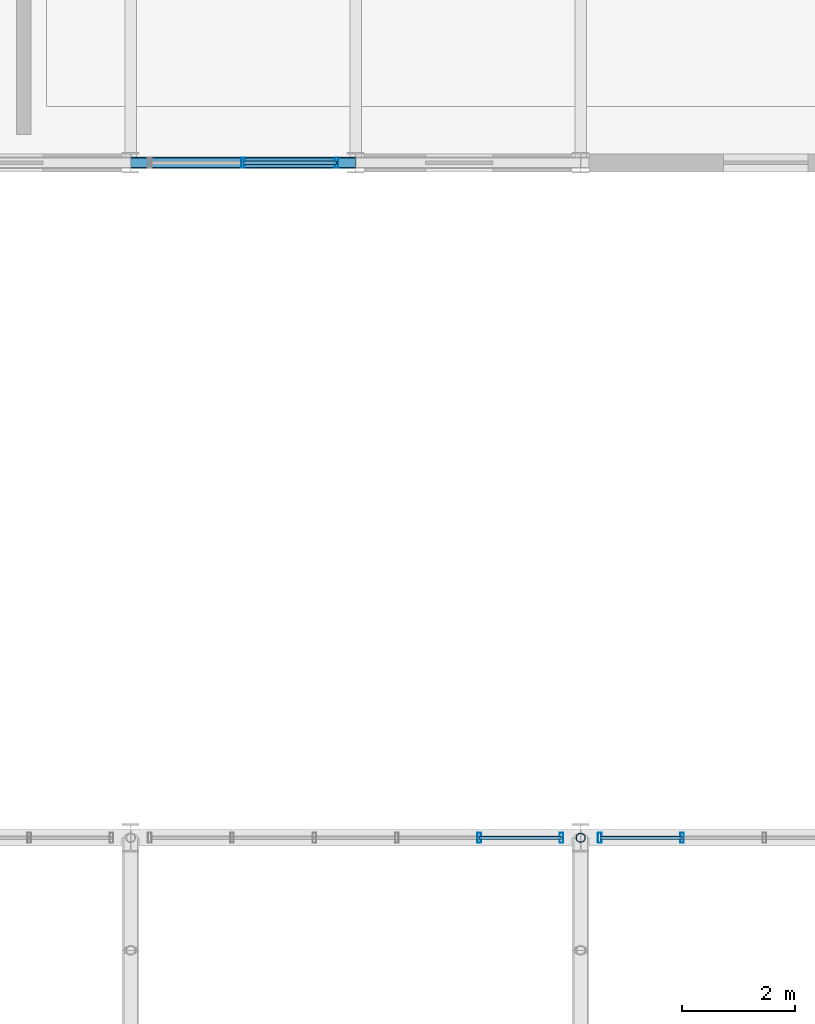
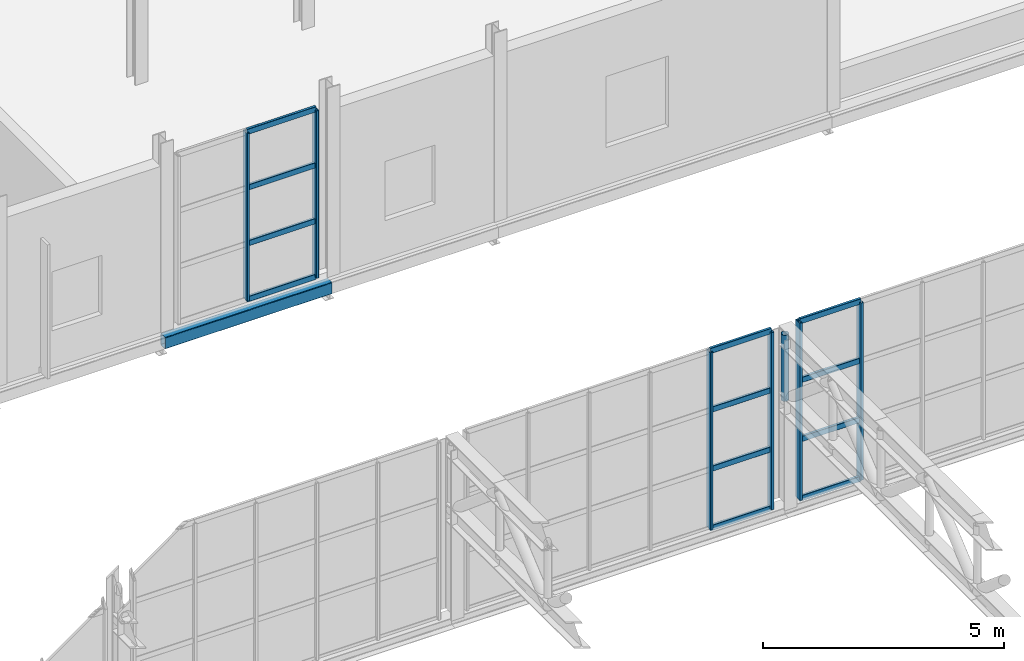
# One storey, part 93 of 143: 19 members, 1 beam, 3 elements without a shape of their own.
"""IFC4 building model written with IfcOpenShell, lengths in metres."""

from ifc_helpers import new_model, si_unit, derived_unit, direction, frame, origin, origin_2d, place, context, subcontext, project, spatial, hollow_rectangle, hollow_circle, extrude, material, material_profile, profile_set, type_object, element, aggregate, save


model = new_model("IFC4")

# Units and contexts
model_context = context("Model", 3, precision=1e-05, world=origin(), true_north=direction((0.0, 1.0)))
body_context = subcontext(model_context, "Body", "Model", "MODEL_VIEW")
ifc_project = project(units=[si_unit("LENGTHUNIT", "METRE"), si_unit("AREAUNIT", "SQUARE_METRE"), si_unit("VOLUMEUNIT", "CUBIC_METRE"), si_unit("PLANEANGLEUNIT", "RADIAN"), si_unit("MASSUNIT", "GRAM", prefix="KILO"), derived_unit("THERMALTRANSMITTANCEUNIT", [(si_unit("POWERUNIT", "WATT"), 1), (si_unit("LENGTHUNIT", "METRE"), -2), (si_unit("THERMODYNAMICTEMPERATUREUNIT", "KELVIN"), -1)])], contexts=[model_context])

# Site, building, storey
site_placement = place(None, origin())
site = spatial("IfcSite", under=ifc_project, at=site_placement, CompositionType="ELEMENT")
building_placement = place(site_placement, origin())
building = spatial("IfcBuilding", under=site, at=building_placement, Name="Keldorne Ridge Multi-Sports Centre", CompositionType="ELEMENT")
storey_placement = place(building_placement, frame((0.0, 0.0, 4.800048828125)))
storey = spatial("IfcBuildingStorey", under=building, at=storey_placement, Name="L01", CompositionType="ELEMENT", Elevation=4.800048828125)

# Beam
ifc_material_1 = material(Name="Steel S355", Category="steel")
ifc_material_profile_1 = material_profile(ifc_material_1, hollow_rectangle(XDim=0.199951171875, YDim=0.300048828125, WallThickness=0.012451171875, InnerFilletRadius=0.012451171875, OuterFilletRadius=0.02490234375, at=origin_2d()), Name="RHS 300x200x12.5")
ifc_profile_set_1 = profile_set([ifc_material_profile_1], Name="Steel S355")
beam_type = type_object("IfcBeamType", Name="BM-SP-01", PredefinedType="SPANDREL", material=ifc_profile_set_1)
beam_placement = place(storey_placement, frame((144.0, 66.0, -0.3701171875), z_axis=(1.0, 0.0, 0.0), x_axis=(0.0, 1.0, 0.0)))
element("IfcBeam", 1, at=beam_placement, inside=storey, type_object=beam_type, Name="L01 primary beam 9.66", PredefinedType="SPANDREL", context=body_context, shape_type="SweptSolid", body=[
    extrude(hollow_rectangle(XDim=0.199951171875, YDim=0.300048828125, WallThickness=0.012451171875, InnerFilletRadius=0.012451171875, OuterFilletRadius=0.02490234375, at=origin_2d()), origin(), (0.0, 0.0, 1.0), 4.0),
])

# Curtain wall, members
ifc_material_2 = material(Name="Anodized aluminium", Category="aluminium")
curtain_wall_type_1 = type_object("IfcCurtainWallType", Name="CW-CW-02", PredefinedType="NOTDEFINED", material=ifc_material_2)
curtain_wall_1_placement = place(storey_placement, origin())
curtain_wall_1 = element("IfcCurtainWall", 2, at=curtain_wall_1_placement, inside=storey, type_object=curtain_wall_type_1, Name="Lower Courts north clerestory 122", PredefinedType="NOTDEFINED")
ifc_material_profile_2 = material_profile(ifc_material_2, hollow_rectangle(XDim=0.06494140625, YDim=0.179931640625, WallThickness=0.00439453125, InnerFilletRadius=0.00439453125, OuterFilletRadius=0.009033203125, at=origin_2d()), Name="ALU MULLION 180x65x4.5")
ifc_profile_set_2 = profile_set([ifc_material_profile_2], Name="Anodized aluminium")
member_type_1 = type_object("IfcMemberType", Name="MEM-ML-01", PredefinedType="MULLION", material=ifc_profile_set_2)
member_1_placement = place(storey_placement, frame((151.659912109375, 54.0, 0.0), z_axis=(0.0, 0.0, 1.0), x_axis=(1.0, 0.0, 0.0)))
member_1 = element("IfcMember", 3, at=member_1_placement, type_object=member_type_1, Name="CW-122 vertical mullion 1", PredefinedType="MULLION", context=body_context, shape_type="SweptSolid", body=[
    extrude(hollow_rectangle(XDim=0.06494140625, YDim=0.179931640625, WallThickness=0.00439453125, InnerFilletRadius=0.00439453125, OuterFilletRadius=0.009033203125, at=origin_2d()), origin(), (0.0, 0.0, 1.0), 4.5),
])
member_2_placement = place(storey_placement, frame((150.196044921875, 54.0, 0.0), z_axis=(0.0, 0.0, 1.0), x_axis=(1.0, 0.0, 0.0)))
member_2 = element("IfcMember", 4, at=member_2_placement, type_object=member_type_1, Name="CW-122 vertical mullion 2", PredefinedType="MULLION", context=body_context, shape_type="SweptSolid", body=[
    extrude(hollow_rectangle(XDim=0.06494140625, YDim=0.179931640625, WallThickness=0.00439453125, InnerFilletRadius=0.00439453125, OuterFilletRadius=0.009033203125, at=origin_2d()), origin(), (0.0, 0.0, 1.0), 4.5),
])

curtain_wall_type_2 = type_object("IfcCurtainWallType", Name="CW-CW-01", PredefinedType="NOTDEFINED", material=ifc_material_2)
curtain_wall_2_placement = place(storey_placement, origin())
curtain_wall_2 = element("IfcCurtainWall", 5, at=curtain_wall_2_placement, inside=storey, type_object=curtain_wall_type_2, Name="Lower Courts north clerestory 129", PredefinedType="NOTDEFINED")
member_3_placement = place(storey_placement, frame((153.803955078125, 54.0, 0.0), z_axis=(0.0, 0.0, 1.0), x_axis=(1.0, 0.0, 0.0)))
member_3 = element("IfcMember", 6, at=member_3_placement, type_object=member_type_1, Name="CW-129 vertical mullion 5", PredefinedType="MULLION", context=body_context, shape_type="SweptSolid", body=[
    extrude(hollow_rectangle(XDim=0.06494140625, YDim=0.179931640625, WallThickness=0.00439453125, InnerFilletRadius=0.00439453125, OuterFilletRadius=0.009033203125, at=origin_2d()), origin(), (0.0, 0.0, 1.0), 4.5),
])
member_4_placement = place(storey_placement, frame((152.340087890625, 54.0, 0.0), z_axis=(0.0, 0.0, 1.0), x_axis=(1.0, 0.0, 0.0)))
member_4 = element("IfcMember", 7, at=member_4_placement, type_object=member_type_1, Name="CW-129 vertical mullion 6", PredefinedType="MULLION", context=body_context, shape_type="SweptSolid", body=[
    extrude(hollow_rectangle(XDim=0.06494140625, YDim=0.179931640625, WallThickness=0.00439453125, InnerFilletRadius=0.00439453125, OuterFilletRadius=0.009033203125, at=origin_2d()), origin(), (0.0, 0.0, 1.0), 4.5),
])

curtain_wall_type_3 = type_object("IfcCurtainWallType", Name="CW-CW-06", PredefinedType="NOTDEFINED", material=ifc_material_2)
curtain_wall_3_placement = place(storey_placement, origin())
curtain_wall_3 = element("IfcCurtainWall", 8, at=curtain_wall_3_placement, inside=storey, type_object=curtain_wall_type_3, Name="East Wing L01 south curtain wall 142", PredefinedType="NOTDEFINED")
member_5_placement = place(storey_placement, frame((146.0, 66.0, 0.0), z_axis=(0.0, 0.0, 1.0), x_axis=(1.0, 0.0, 0.0)))
member_5 = element("IfcMember", 9, at=member_5_placement, type_object=member_type_1, Name="CW-142 vertical mullion 2", PredefinedType="MULLION", context=body_context, shape_type="SweptSolid", body=[
    extrude(hollow_rectangle(XDim=0.06494140625, YDim=0.179931640625, WallThickness=0.00439453125, InnerFilletRadius=0.00439453125, OuterFilletRadius=0.009033203125, at=origin_2d()), origin(), (0.0, 0.0, 1.0), 4.25),
])
member_6_placement = place(storey_placement, frame((147.659912109375, 66.0, 0.0), z_axis=(0.0, 0.0, 1.0), x_axis=(1.0, 0.0, 0.0)))
member_6 = element("IfcMember", 10, at=member_6_placement, type_object=member_type_1, Name="CW-142 vertical mullion 3", PredefinedType="MULLION", context=body_context, shape_type="SweptSolid", body=[
    extrude(hollow_rectangle(XDim=0.06494140625, YDim=0.179931640625, WallThickness=0.00439453125, InnerFilletRadius=0.00439453125, OuterFilletRadius=0.009033203125, at=origin_2d()), origin(), (0.0, 0.0, 1.0), 4.25),
])

# Member
ifc_material_profile_3 = material_profile(ifc_material_2, hollow_rectangle(XDim=0.06494140625, YDim=0.139892578125, WallThickness=0.00439453125, InnerFilletRadius=0.00439453125, OuterFilletRadius=0.009033203125, at=origin_2d()), Name="ALU TRANSOM 140x65x4.5")
ifc_profile_set_3 = profile_set([ifc_material_profile_3], Name="Anodized aluminium")
member_type_2 = type_object("IfcMemberType", Name="MEM-TR-01", PredefinedType="USERDEFINED", material=ifc_profile_set_3)
member_7_placement = place(storey_placement, frame((151.659912109375, 54.0, 0.0), z_axis=(-1.0, 0.0, 0.0), x_axis=(0.0, -1.0, 0.0)))
member_7 = element("IfcMember", 11, at=member_7_placement, type_object=member_type_2, Name="CW-122 transom 1.1", ObjectType="TRANSOM", PredefinedType="USERDEFINED", context=body_context, shape_type="SweptSolid", body=[
    extrude(hollow_rectangle(XDim=0.06494140625, YDim=0.139892578125, WallThickness=0.00439453125, InnerFilletRadius=0.00439453125, OuterFilletRadius=0.009033203125, at=origin_2d()), origin(), (0.0, 0.0, 1.0), 1.4638671875),
])

member_8_placement = place(storey_placement, frame((151.659912109375, 54.0, 1.5), z_axis=(-1.0, 0.0, 0.0), x_axis=(0.0, -1.0, 0.0)))
member_8 = element("IfcMember", 12, at=member_8_placement, type_object=member_type_2, Name="CW-122 transom 1.2", ObjectType="TRANSOM", PredefinedType="USERDEFINED", context=body_context, shape_type="SweptSolid", body=[
    extrude(hollow_rectangle(XDim=0.06494140625, YDim=0.139892578125, WallThickness=0.00439453125, InnerFilletRadius=0.00439453125, OuterFilletRadius=0.009033203125, at=origin_2d()), origin(), (0.0, 0.0, 1.0), 1.4638671875),
])

member_9_placement = place(storey_placement, frame((151.659912109375, 54.0, 3.0), z_axis=(-1.0, 0.0, 0.0), x_axis=(0.0, -1.0, 0.0)))
member_9 = element("IfcMember", 13, at=member_9_placement, type_object=member_type_2, Name="CW-122 transom 1.3", ObjectType="TRANSOM", PredefinedType="USERDEFINED", context=body_context, shape_type="SweptSolid", body=[
    extrude(hollow_rectangle(XDim=0.06494140625, YDim=0.139892578125, WallThickness=0.00439453125, InnerFilletRadius=0.00439453125, OuterFilletRadius=0.009033203125, at=origin_2d()), origin(), (0.0, 0.0, 1.0), 1.4638671875),
])

member_10_placement = place(storey_placement, frame((151.659912109375, 54.0, 4.5), z_axis=(-1.0, 0.0, 0.0), x_axis=(0.0, -1.0, 0.0)))
member_10 = element("IfcMember", 14, at=member_10_placement, type_object=member_type_2, Name="CW-122 transom 1.4", ObjectType="TRANSOM", PredefinedType="USERDEFINED", context=body_context, shape_type="SweptSolid", body=[
    extrude(hollow_rectangle(XDim=0.06494140625, YDim=0.139892578125, WallThickness=0.00439453125, InnerFilletRadius=0.00439453125, OuterFilletRadius=0.009033203125, at=origin_2d()), origin(), (0.0, 0.0, 1.0), 1.4638671875),
])

aggregate(curtain_wall_1, [member_1, member_2, member_7, member_8, member_9, member_10])

member_11_placement = place(storey_placement, frame((153.803955078125, 54.0, 0.0), z_axis=(-1.0, 0.0, 0.0), x_axis=(0.0, -1.0, 0.0)))
member_11 = element("IfcMember", 15, at=member_11_placement, type_object=member_type_2, Name="CW-129 transom 5.1", ObjectType="TRANSOM", PredefinedType="USERDEFINED", context=body_context, shape_type="SweptSolid", body=[
    extrude(hollow_rectangle(XDim=0.06494140625, YDim=0.139892578125, WallThickness=0.00439453125, InnerFilletRadius=0.00439453125, OuterFilletRadius=0.009033203125, at=origin_2d()), origin(), (0.0, 0.0, 1.0), 1.4638671875),
])

member_12_placement = place(storey_placement, frame((153.803955078125, 54.0, 1.5), z_axis=(-1.0, 0.0, 0.0), x_axis=(0.0, -1.0, 0.0)))
member_12 = element("IfcMember", 16, at=member_12_placement, type_object=member_type_2, Name="CW-129 transom 5.2", ObjectType="TRANSOM", PredefinedType="USERDEFINED", context=body_context, shape_type="SweptSolid", body=[
    extrude(hollow_rectangle(XDim=0.06494140625, YDim=0.139892578125, WallThickness=0.00439453125, InnerFilletRadius=0.00439453125, OuterFilletRadius=0.009033203125, at=origin_2d()), origin(), (0.0, 0.0, 1.0), 1.4638671875),
])

member_13_placement = place(storey_placement, frame((153.803955078125, 54.0, 3.0), z_axis=(-1.0, 0.0, 0.0), x_axis=(0.0, -1.0, 0.0)))
member_13 = element("IfcMember", 17, at=member_13_placement, type_object=member_type_2, Name="CW-129 transom 5.3", ObjectType="TRANSOM", PredefinedType="USERDEFINED", context=body_context, shape_type="SweptSolid", body=[
    extrude(hollow_rectangle(XDim=0.06494140625, YDim=0.139892578125, WallThickness=0.00439453125, InnerFilletRadius=0.00439453125, OuterFilletRadius=0.009033203125, at=origin_2d()), origin(), (0.0, 0.0, 1.0), 1.4638671875),
])

member_14_placement = place(storey_placement, frame((153.803955078125, 54.0, 4.5), z_axis=(-1.0, 0.0, 0.0), x_axis=(0.0, -1.0, 0.0)))
member_14 = element("IfcMember", 18, at=member_14_placement, type_object=member_type_2, Name="CW-129 transom 5.4", ObjectType="TRANSOM", PredefinedType="USERDEFINED", context=body_context, shape_type="SweptSolid", body=[
    extrude(hollow_rectangle(XDim=0.06494140625, YDim=0.139892578125, WallThickness=0.00439453125, InnerFilletRadius=0.00439453125, OuterFilletRadius=0.009033203125, at=origin_2d()), origin(), (0.0, 0.0, 1.0), 1.4638671875),
])

aggregate(curtain_wall_2, [member_3, member_4, member_11, member_12, member_13, member_14])

member_15_placement = place(storey_placement, frame((146.0, 66.0, 0.0), z_axis=(1.0, 0.0, 0.0), x_axis=(0.0, 1.0, 0.0)))
member_15 = element("IfcMember", 19, at=member_15_placement, type_object=member_type_2, Name="CW-142 transom 2.1", ObjectType="TRANSOM", PredefinedType="USERDEFINED", context=body_context, shape_type="SweptSolid", body=[
    extrude(hollow_rectangle(XDim=0.06494140625, YDim=0.139892578125, WallThickness=0.00439453125, InnerFilletRadius=0.00439453125, OuterFilletRadius=0.009033203125, at=origin_2d()), origin(), (0.0, 0.0, 1.0), 1.659912109375),
])

member_16_placement = place(storey_placement, frame((146.0, 66.0, 1.416748046875), z_axis=(1.0, 0.0, 0.0), x_axis=(0.0, 1.0, 0.0)))
member_16 = element("IfcMember", 20, at=member_16_placement, type_object=member_type_2, Name="CW-142 transom 2.2", ObjectType="TRANSOM", PredefinedType="USERDEFINED", context=body_context, shape_type="SweptSolid", body=[
    extrude(hollow_rectangle(XDim=0.06494140625, YDim=0.139892578125, WallThickness=0.00439453125, InnerFilletRadius=0.00439453125, OuterFilletRadius=0.009033203125, at=origin_2d()), origin(), (0.0, 0.0, 1.0), 1.659912109375),
])

member_17_placement = place(storey_placement, frame((146.0, 66.0, 2.833251953125), z_axis=(1.0, 0.0, 0.0), x_axis=(0.0, 1.0, 0.0)))
member_17 = element("IfcMember", 21, at=member_17_placement, type_object=member_type_2, Name="CW-142 transom 2.3", ObjectType="TRANSOM", PredefinedType="USERDEFINED", context=body_context, shape_type="SweptSolid", body=[
    extrude(hollow_rectangle(XDim=0.06494140625, YDim=0.139892578125, WallThickness=0.00439453125, InnerFilletRadius=0.00439453125, OuterFilletRadius=0.009033203125, at=origin_2d()), origin(), (0.0, 0.0, 1.0), 1.659912109375),
])

member_18_placement = place(storey_placement, frame((146.0, 66.0, 4.25), z_axis=(1.0, 0.0, 0.0), x_axis=(0.0, 1.0, 0.0)))
member_18 = element("IfcMember", 22, at=member_18_placement, type_object=member_type_2, Name="CW-142 transom 2.4", ObjectType="TRANSOM", PredefinedType="USERDEFINED", context=body_context, shape_type="SweptSolid", body=[
    extrude(hollow_rectangle(XDim=0.06494140625, YDim=0.139892578125, WallThickness=0.00439453125, InnerFilletRadius=0.00439453125, OuterFilletRadius=0.009033203125, at=origin_2d()), origin(), (0.0, 0.0, 1.0), 1.659912109375),
])

aggregate(curtain_wall_3, [member_5, member_6, member_15, member_16, member_17, member_18])

ifc_material_profile_4 = material_profile(ifc_material_1, hollow_circle(Radius=0.084228515625, WallThickness=0.010009765625, at=origin_2d()), Name="CHS 168.3x10")
ifc_profile_set_4 = profile_set([ifc_material_profile_4], Name="Steel S355")
member_type_3 = type_object("IfcMemberType", Name="MEM-TV-01", PredefinedType="STRUT", material=ifc_profile_set_4)
member_19_placement = place(storey_placement, frame((152.0, 54.0, 2.6298828125), z_axis=(0.0, 0.0, 1.0), x_axis=(1.0, 0.0, 0.0)))
element("IfcMember", 23, at=member_19_placement, inside=storey, type_object=member_type_3, Name="Stacked Courts Warren TRUSS WT-L02-07 end post 24", PredefinedType="STRUT", context=body_context, shape_type="SweptSolid", body=[
    extrude(hollow_circle(Radius=0.084228515625, WallThickness=0.010009765625, at=origin_2d()), origin(), (0.0, 0.0, 1.0), 1.68017578125),
])

save(model, "model.ifc")
